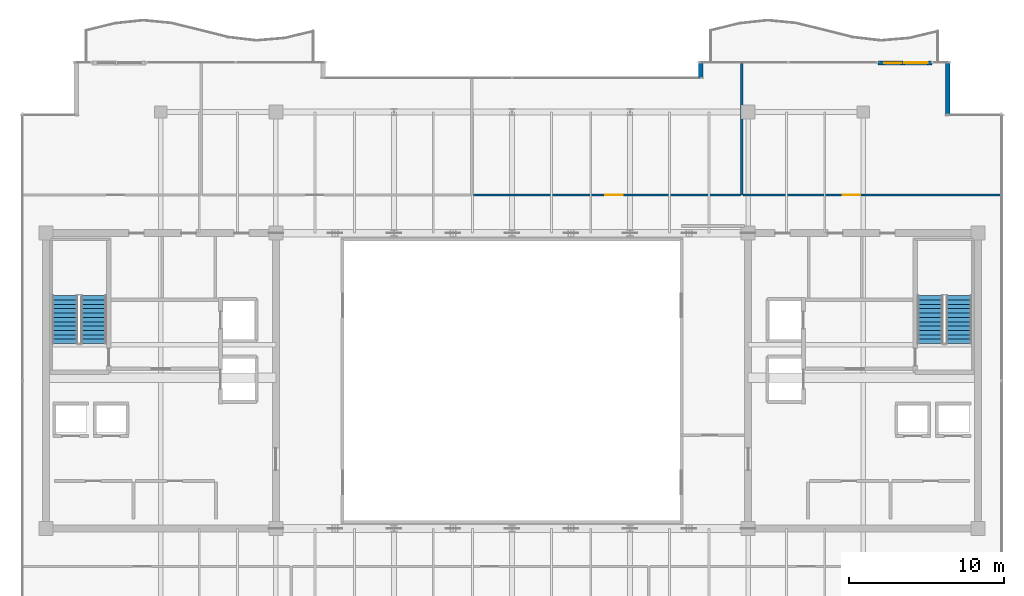
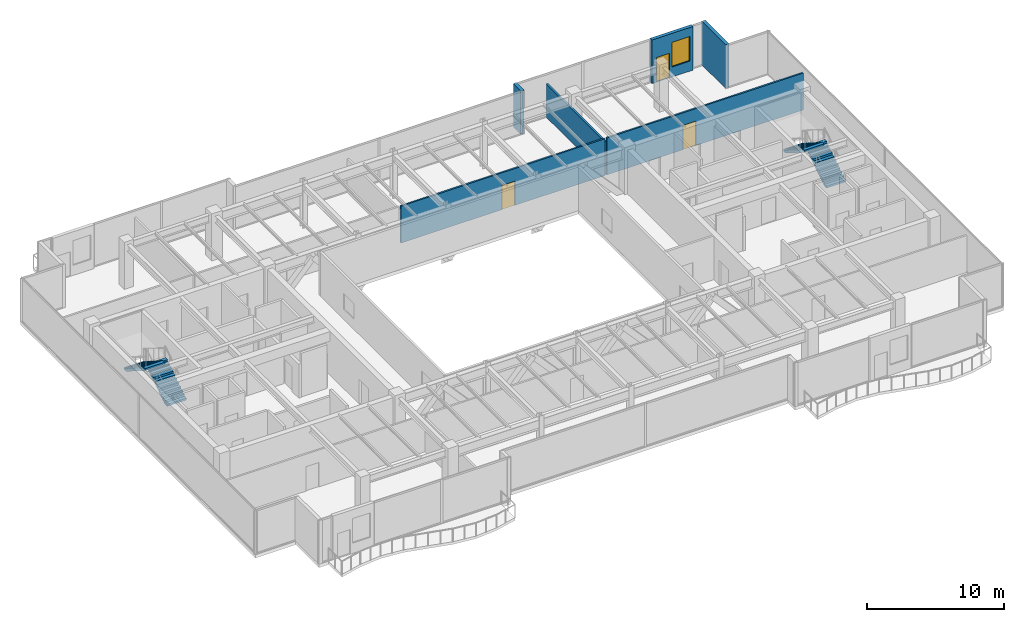
# One storey, part 28 of 31: 6 walls, 4 stair flights, 3 doors, 1 window, 4 openings, 2 elements without a shape of their own.
"""IFC4 building model written with IfcOpenShell, lengths in metres."""

from ifc_helpers import new_model, si_unit, direction, frame, frame_2d, origin, place, context, subcontext, project, spatial, polyline, rectangle, outline, extrude, source, transform, mapped, material, layer, layer_set, type_object, type_shapes, element, fill, aggregate, save


model = new_model("IFC4")

# Units and contexts
model_context = context("Model", 3, precision=1e-05, world=origin(), true_north=direction((0.0, 1.0)))
body_context = subcontext(model_context, "Body", "Model", "MODEL_VIEW")
ifc_project = project(units=[si_unit("LENGTHUNIT", "METRE"), si_unit("AREAUNIT", "SQUARE_METRE"), si_unit("VOLUMEUNIT", "CUBIC_METRE"), si_unit("PLANEANGLEUNIT", "RADIAN"), si_unit("MASSUNIT", "GRAM", prefix="KILO")], contexts=[model_context])

# Site, building, storey
site_placement = place(None, origin())
site = spatial("IfcSite", under=ifc_project, at=site_placement, CompositionType="ELEMENT")
building_placement = place(site_placement, origin())
building = spatial("IfcBuilding", under=site, at=building_placement, Name="Haelvirn Gate Laboratories", CompositionType="ELEMENT")
storey_placement = place(building_placement, frame((0.0, 0.0, 310.199951171875)))
storey = spatial("IfcBuildingStorey", under=building, at=storey_placement, Name="L74", CompositionType="ELEMENT", Elevation=310.199951171875)

# Wall, openings, door, window
ifc_material_1 = material(Name="Thermally-broken bronze aluminium rainscreen & mineral wool", Category="aluminium")
ifc_layer_1 = layer(ifc_material_1, 0.280029296875, Name="EW-TERR-280")
ifc_layer_set_1 = layer_set([ifc_layer_1], Name="Thermally-broken bronze aluminium rainscreen & mineral wool")
wall_type_1 = type_object("IfcWallType", Name="EW-TERR-280", PredefinedType="STANDARD", material=ifc_layer_set_1)
wall_1_placement = place(storey_placement, frame((60.971923828125, 44.760009765625, 0.0), z_axis=(0.0, 0.0, 1.0), x_axis=(1.0, 0.0, 0.0)))
wall_1 = element("IfcWall", 1, at=wall_1_placement, inside=storey, type_object=wall_type_1, Name="L74 Terrace Access Wall WB-EL-N", PredefinedType="STANDARD", context=body_context, shape_type="SweptSolid", body=[
    extrude(rectangle(XDim=3.4560546875, YDim=0.280029296875, at=frame_2d((1.72802734375, 0.0))), origin(), (0.0, 0.0, 1.0), 3.900146484375),
])
opening_1_placement = place(wall_1_placement, frame((0.3779296875, 0.0, 0.0)))
opening_1 = element("IfcOpeningElement", 2, at=opening_1_placement, cuts=wall_1, Name="Opening TD1", PredefinedType="OPENING", context=body_context, shape_type="SweptSolid", body=[
    extrude(rectangle(XDim=1.10009765625, YDim=2.199951171875, at=frame_2d((0.550048828125, 1.10009765625))), frame((0.0, 0.14990234375, 0.0), z_axis=(0.0, -1.0, 0.0), x_axis=(1.0, 0.0, 0.0)), (0.0, 0.0, 1.0), 0.300048828125),
])
opening_2_placement = place(wall_1_placement, frame((1.677978515625, 0.0, 0.89990234375)))
opening_2 = element("IfcOpeningElement", 3, at=opening_2_placement, cuts=wall_1, Name="Opening W3", PredefinedType="OPENING", context=body_context, shape_type="SweptSolid", body=[
    extrude(rectangle(XDim=1.5, YDim=2.199951171875, at=frame_2d((0.75, 1.10009765625))), frame((0.0, 0.14990234375, 0.0), z_axis=(0.0, -1.0, 0.0), x_axis=(1.0, 0.0, 0.0)), (0.0, 0.0, 1.0), 0.300048828125),
])
ifc_material_2 = material(Name="Thermally-broken bronze aluminium glazed terrace door", Category="aluminium")
door_type_1 = type_object("IfcDoorType", Name="DR-TERR-1100", OperationType="NOTDEFINED", PredefinedType="DOOR", material=ifc_material_2)
shared_shape_1 = source(origin(), body_context, "Body", "SweptSolid", [
    extrude(rectangle(XDim=1.10009765625, YDim=2.199951171875, at=frame_2d((0.550048828125, 1.10009765625))), frame((0.0, 0.02490234375, 0.0), z_axis=(0.0, -1.0, 0.0), x_axis=(1.0, 0.0, 0.0)), (0.0, 0.0, 1.0), 0.050048828125),
])
type_shapes(door_type_1, [shared_shape_1])
door_1_placement = place(opening_1_placement, origin())
door_1 = element("IfcDoor", 4, at=door_1_placement, inside=storey, type_object=door_type_1, Name="L74 Terrace Access Door WB-EL-N", OperationType="SINGLE_SWING_RIGHT", OverallHeight=2.199951171875, OverallWidth=1.10009765625, PredefinedType="DOOR", context=body_context, shape_type="MappedRepresentation", body=[
    mapped(shared_shape_1, transform((0.0, 0.0, 0.0), scale=1.0)),
])
fill(opening_1, door_1)
ifc_material_3 = material(Name="Bronze anodised aluminium & triple low-E glass", Category="aluminium")
window_type = type_object("IfcWindowType", Name="WIN-TERR-1600", PartitioningType="SINGLE_PANEL", PredefinedType="WINDOW", material=ifc_material_3)
shared_shape_2 = source(origin(), body_context, "Body", "SweptSolid", [
    extrude(rectangle(XDim=1.5, YDim=2.199951171875, at=frame_2d((0.75, 1.10009765625))), frame((0.0, 0.030029296875, 0.0), z_axis=(0.0, -1.0, 0.0), x_axis=(1.0, 0.0, 0.0)), (0.0, 0.0, 1.0), 0.06005859375),
])
type_shapes(window_type, [shared_shape_2])
window_placement = place(opening_2_placement, origin())
window = element("IfcWindow", 5, at=window_placement, inside=storey, type_object=window_type, Name="L74 Terrace Vision Window WB-EL-N", OverallHeight=2.199951171875, OverallWidth=1.5, PartitioningType="SINGLE_PANEL", PredefinedType="WINDOW", context=body_context, shape_type="MappedRepresentation", body=[
    mapped(shared_shape_2, transform((0.0, 0.0, 0.0), scale=1.0)),
])
fill(opening_2, window)

# Walls
wall_2_placement = place(storey_placement, frame((65.4599609375, 41.412109375, 0.0), z_axis=(0.0, 0.0, 1.0), x_axis=(0.0, 1.0, 0.0)))
element("IfcWall", 6, at=wall_2_placement, inside=storey, type_object=wall_type_1, Name="L74 Atrium Recess Bronze Return Wall 09", PredefinedType="STANDARD", context=body_context, shape_type="SweptSolid", body=[
    extrude(rectangle(XDim=3.48779296875, YDim=0.280029296875, at=frame_2d((1.743896484375, 0.0))), origin(), (0.0, 0.0, 1.0), 3.900146484375),
])
wall_3_placement = place(storey_placement, frame((49.5400390625, 44.89990234375, 0.0), z_axis=(0.0, 0.0, 1.0), x_axis=(0.0, -1.0, 0.0)))
element("IfcWall", 7, at=wall_3_placement, inside=storey, type_object=wall_type_1, Name="L74 Atrium Recess Bronze Return Wall 11", PredefinedType="STANDARD", context=body_context, shape_type="SweptSolid", body=[
    extrude(rectangle(XDim=1.093017578125, YDim=0.280029296875, at=frame_2d((0.54638671875, 0.0))), origin(), (0.0, 0.0, 1.0), 3.900146484375),
])
ifc_material_4 = material(Name="Double-layer acoustic gypsum laboratory partition", Category="gypsum")
ifc_layer_2 = layer(ifc_material_4, 0.159912109375, Name="IW-ACOUST-160")
ifc_layer_set_2 = layer_set([ifc_layer_2], Name="Double-layer acoustic gypsum laboratory partition")
wall_type_2 = type_object("IfcWallType", Name="IW-ACOUST-160", PredefinedType="PARTITIONING", material=ifc_layer_set_2)
wall_4_placement = place(storey_placement, frame((52.199951171875, 36.260009765625, 0.0), z_axis=(0.0, 0.0, 1.0), x_axis=(0.0, 1.0, 0.0)))
element("IfcWall", 8, at=wall_4_placement, inside=storey, type_object=wall_type_2, Name="L74 Interior Wall IW-L74-NDIV-03", PredefinedType="PARTITIONING", context=body_context, shape_type="SweptSolid", body=[
    extrude(rectangle(XDim=8.530029296875, YDim=0.159912109375, at=frame_2d((4.26513671875, 0.0))), origin(), (0.0, 0.0, 1.0), 2.985107421875),
])

# Wall, opening, door
ifc_material_5 = material(Name="Acoustic mineral-wool gypsum board partition", Category="gypsum")
ifc_layer_3 = layer(ifc_material_5, 0.139892578125, Name="IW-PART-140")
ifc_layer_set_3 = layer_set([ifc_layer_3], Name="Acoustic mineral-wool gypsum board partition")
wall_type_3 = type_object("IfcWallType", Name="IW-PART-140", PredefinedType="PARTITIONING", material=ifc_layer_set_3)
wall_5_placement = place(storey_placement, frame((34.8798828125, 36.260009765625, 0.0), z_axis=(0.0, 0.0, 1.0), x_axis=(1.0, 0.0, 0.0)))
wall_5 = element("IfcWall", 9, at=wall_5_placement, inside=storey, type_object=wall_type_3, Name="L74 Interior Wall IW-L74-NCORR-03", PredefinedType="PARTITIONING", context=body_context, shape_type="SweptSolid", body=[
    extrude(rectangle(XDim=17.240234375, YDim=0.139892578125, at=frame_2d((8.6201171875, 0.0))), origin(), (0.0, 0.0, 1.0), 3.297119140625),
])
opening_3_placement = place(wall_5_placement, frame((8.533203125, 0.0, 0.0)))
opening_3 = element("IfcOpeningElement", 10, at=opening_3_placement, cuts=wall_5, Name="Opening D1", PredefinedType="OPENING", context=body_context, shape_type="SweptSolid", body=[
    extrude(rectangle(XDim=1.10009765625, YDim=2.179931640625, at=frame_2d((0.550048828125, 1.08984375))), frame((0.0, 0.080078125, 0.0), z_axis=(0.0, -1.0, 0.0), x_axis=(1.0, 0.0, 0.0)), (0.0, 0.0, 1.0), 0.159912109375),
])
ifc_material_6 = material(Name="Vision-panel acoustic solid-core timber lab door", Category="wood")
door_type_2 = type_object("IfcDoorType", Name="DR-LAB-1100", OperationType="NOTDEFINED", PredefinedType="DOOR", material=ifc_material_6)
shared_shape_3 = source(origin(), body_context, "Body", "SweptSolid", [
    extrude(rectangle(XDim=1.10009765625, YDim=2.179931640625, at=frame_2d((0.550048828125, 1.08984375))), frame((0.0, 0.02490234375, 0.0), z_axis=(0.0, -1.0, 0.0), x_axis=(1.0, 0.0, 0.0)), (0.0, 0.0, 1.0), 0.050048828125),
])
type_shapes(door_type_2, [shared_shape_3])
door_2_placement = place(opening_3_placement, origin())
door_2 = element("IfcDoor", 11, at=door_2_placement, inside=storey, type_object=door_type_2, Name="L74 Instrumentation Prototyping Workshop Door N3", OperationType="SINGLE_SWING_RIGHT", OverallHeight=2.179931640625, OverallWidth=1.10009765625, PredefinedType="DOOR", context=body_context, shape_type="MappedRepresentation", body=[
    mapped(shared_shape_3, transform((0.0, 0.0, 0.0), scale=1.0)),
])
fill(opening_3, door_2)

wall_6_placement = place(storey_placement, frame((52.280029296875, 36.260009765625, 0.0), z_axis=(0.0, 0.0, 1.0), x_axis=(1.0, 0.0, 0.0)))
wall_6 = element("IfcWall", 12, at=wall_6_placement, inside=storey, type_object=wall_type_3, Name="L74 Interior Wall IW-L74-NCORR-04", PredefinedType="PARTITIONING", context=body_context, shape_type="SweptSolid", body=[
    extrude(rectangle(XDim=16.60986328125, YDim=0.139892578125, at=frame_2d((8.304931640625, 0.0))), origin(), (0.0, 0.0, 1.0), 3.297119140625),
])
opening_4_placement = place(wall_6_placement, frame((6.422119140625, 0.0, 0.0)))
opening_4 = element("IfcOpeningElement", 13, at=opening_4_placement, cuts=wall_6, Name="Opening D1", PredefinedType="OPENING", context=body_context, shape_type="SweptSolid", body=[
    extrude(rectangle(XDim=1.10009765625, YDim=2.179931640625, at=frame_2d((0.550048828125, 1.08984375))), frame((0.0, 0.080078125, 0.0), z_axis=(0.0, -1.0, 0.0), x_axis=(1.0, 0.0, 0.0)), (0.0, 0.0, 1.0), 0.159912109375),
])
door_3_placement = place(opening_4_placement, origin())
door_3 = element("IfcDoor", 14, at=door_3_placement, inside=storey, type_object=door_type_2, Name="L74 Researcher Break Pantry Door N4", OperationType="SINGLE_SWING_LEFT", OverallHeight=2.179931640625, OverallWidth=1.10009765625, PredefinedType="DOOR", context=body_context, shape_type="MappedRepresentation", body=[
    mapped(shared_shape_3, transform((0.0, 0.0, 0.0), scale=1.0)),
])
fill(opening_4, door_3)

# Stair, stair flights
ifc_material_7 = material(Name="Concrete C40/50", Category="concrete")
stair_type = type_object("IfcStairType", Name="ST-DOG-1650-R24", PredefinedType="HALF_TURN_STAIR", material=ifc_material_7)
stair_1_placement = place(storey_placement, origin())
stair_1 = element("IfcStair", 15, at=stair_1_placement, inside=storey, type_object=stair_type, Name="L74 Escape Stair ST1", PredefinedType="HALF_TURN_STAIR")
stair_flight_type = type_object("IfcStairFlightType", Name="STF-1650-R12", PredefinedType="STRAIGHT", material=ifc_material_7)
shared_shape_4 = source(origin(), body_context, "Body", "SweptSolid", [
    extrude(outline(polyline([(0.0, 0.0), (0.0, 0.175048828125), (0.280029296875, 0.175048828125), (0.280029296875, 0.35009765625), (0.56005859375, 0.35009765625), (0.56005859375, 0.52490234375), (0.840087890625, 0.52490234375), (0.840087890625, 0.699951171875), (1.1201171875, 0.699951171875), (1.1201171875, 0.875), (1.39990234375, 0.875), (1.39990234375, 1.050048828125), (1.679931640625, 1.050048828125), (1.679931640625, 1.22509765625), (1.9599609375, 1.22509765625), (1.9599609375, 1.39990234375), (2.239990234375, 1.39990234375), (2.239990234375, 1.574951171875), (2.52001953125, 1.574951171875), (2.52001953125, 1.75), (2.800048828125, 1.75), (2.800048828125, 1.925048828125), (3.080078125, 1.925048828125), (3.080078125, 2.10009765625), (3.080078125, 1.736328125), (0.3017578125, 0.0), (0.0, 0.0)])), frame((0.0, 0.824951171875, 0.0), z_axis=(0.0, -1.0, 0.0), x_axis=(1.0, 0.0, 0.0)), (0.0, 0.0, 1.0), 1.64990234375),
])
type_shapes(stair_flight_type, [shared_shape_4])
stair_flight_1_placement = place(storey_placement, frame((10.47509765625, 26.699951171875, 0.0), z_axis=(0.0, 0.0, 1.0), x_axis=(0.0, 1.0, 0.0)))
stair_flight_1 = element("IfcStairFlight", 16, at=stair_flight_1_placement, type_object=stair_flight_type, Name="ST1 flight 1", NumberOfRisers=12, NumberOfTreads=11, PredefinedType="STRAIGHT", RiserHeight=0.175, TreadLength=0.28, context=body_context, shape_type="MappedRepresentation", body=[
    mapped(shared_shape_4, transform((0.0, 0.0, 0.0), scale=1.0)),
])
stair_flight_2_placement = place(storey_placement, frame((8.625, 29.780029296875, 2.10009765625), z_axis=(0.0, 0.0, 1.0), x_axis=(0.0, -1.0, 0.0)))
stair_flight_2 = element("IfcStairFlight", 17, at=stair_flight_2_placement, type_object=stair_flight_type, Name="ST1 flight 2", NumberOfRisers=12, NumberOfTreads=11, PredefinedType="STRAIGHT", RiserHeight=0.175, TreadLength=0.28, context=body_context, shape_type="MappedRepresentation", body=[
    mapped(shared_shape_4, transform((0.0, 0.0, 0.0), scale=1.0)),
])
aggregate(stair_1, [stair_flight_1, stair_flight_2])

stair_2_placement = place(storey_placement, origin())
stair_2 = element("IfcStair", 18, at=stair_2_placement, inside=storey, type_object=stair_type, Name="L74 Escape Stair ST2", PredefinedType="HALF_TURN_STAIR")
stair_flight_3_placement = place(storey_placement, frame((66.175048828125, 26.699951171875, 0.0), z_axis=(0.0, 0.0, 1.0), x_axis=(0.0, 1.0, 0.0)))
stair_flight_3 = element("IfcStairFlight", 19, at=stair_flight_3_placement, type_object=stair_flight_type, Name="ST2 flight 1", NumberOfRisers=12, NumberOfTreads=11, PredefinedType="STRAIGHT", RiserHeight=0.175, TreadLength=0.28, context=body_context, shape_type="MappedRepresentation", body=[
    mapped(shared_shape_4, transform((0.0, 0.0, 0.0), scale=1.0)),
])
stair_flight_4_placement = place(storey_placement, frame((64.324951171875, 29.780029296875, 2.10009765625), z_axis=(0.0, 0.0, 1.0), x_axis=(0.0, -1.0, 0.0)))
stair_flight_4 = element("IfcStairFlight", 20, at=stair_flight_4_placement, type_object=stair_flight_type, Name="ST2 flight 2", NumberOfRisers=12, NumberOfTreads=11, PredefinedType="STRAIGHT", RiserHeight=0.175, TreadLength=0.28, context=body_context, shape_type="MappedRepresentation", body=[
    mapped(shared_shape_4, transform((0.0, 0.0, 0.0), scale=1.0)),
])
aggregate(stair_2, [stair_flight_3, stair_flight_4])

save(model, "model.ifc")
